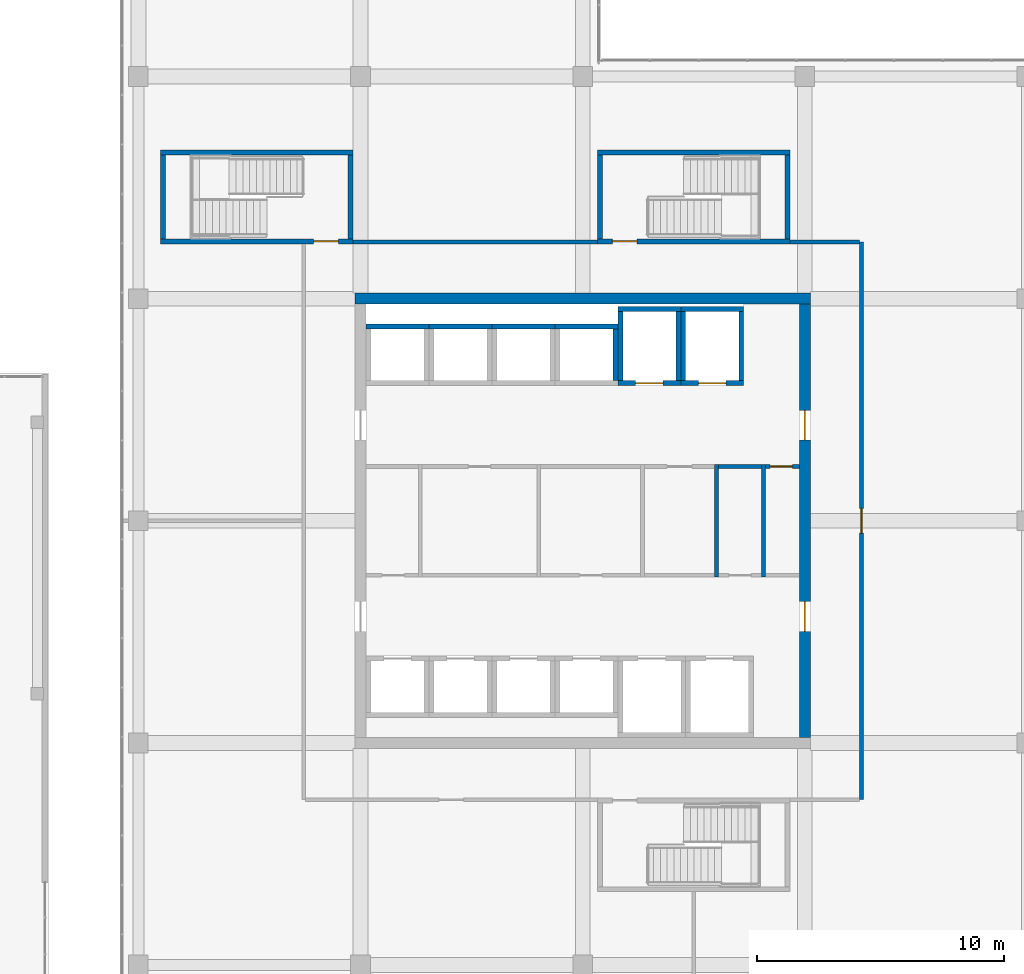
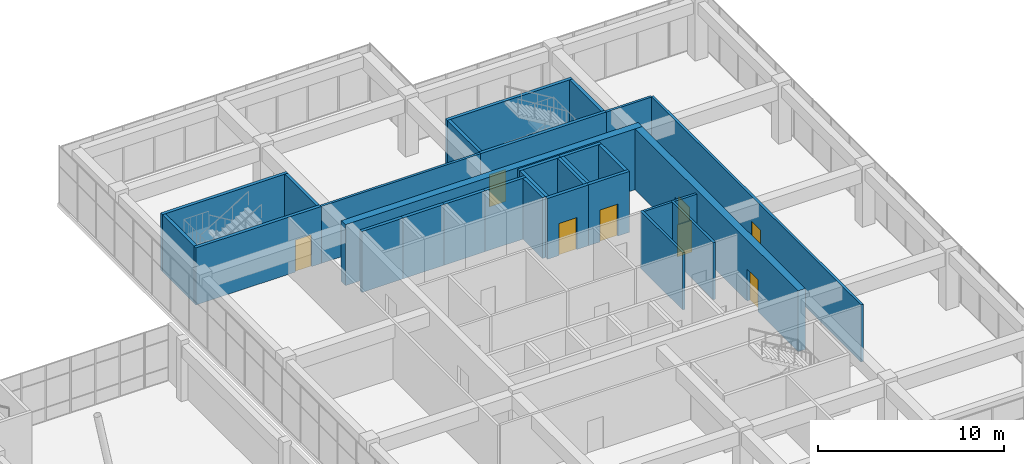
# One storey, part 58 of 65: 30 walls, 8 doors, 8 openings.
"""IFC4 building model written with IfcOpenShell, lengths in metres."""

from ifc_helpers import new_model, si_unit, direction, frame, frame_2d, origin, place, context, subcontext, project, spatial, rectangle, extrude, material, layer, layer_set, type_object, element, fill, save


model = new_model("IFC4")

# Units and contexts
model_context = context("Model", 3, precision=1e-05, world=origin(), true_north=direction((0.0, 1.0)))
body_context = subcontext(model_context, "Body", "Model", "MODEL_VIEW")
ifc_project = project(units=[si_unit("LENGTHUNIT", "METRE"), si_unit("AREAUNIT", "SQUARE_METRE"), si_unit("VOLUMEUNIT", "CUBIC_METRE"), si_unit("PLANEANGLEUNIT", "RADIAN"), si_unit("MASSUNIT", "GRAM", prefix="KILO")], contexts=[model_context])

# Site, building, storey
site_placement = place(None, origin())
site = spatial("IfcSite", under=ifc_project, at=site_placement, CompositionType="ELEMENT")
building_placement = place(site_placement, origin())
building = spatial("IfcBuilding", under=site, at=building_placement, Name="Tuart Plaza Theatre", CompositionType="ELEMENT")
storey_placement = place(building_placement, frame((0.0, 0.0, 9.5)))
storey = spatial("IfcBuildingStorey", under=building, at=storey_placement, Name="L02", CompositionType="ELEMENT", Elevation=9.5)

# Walls
ifc_material_1 = material(Name="Masonry block", Category="masonry")
ifc_layer_1 = layer(ifc_material_1, 0.14990234375)
ifc_layer_set_1 = layer_set([ifc_layer_1], Name="PARTITION BLK150 MASONRYB FRL -/120/120")
wall_type_1 = type_object("IfcWallType", Name="PARTITION BLK150 MASONRYB FRL -/120/120", PredefinedType="PARTITIONING", material=ifc_layer_set_1)
for number, where, z_axis, x_axis, name in (
    (1, (137.425048828125, 71.72509765625, 0.0), (0.0, 0.0, 1.0), (0.0, 1.0, 0.0), "P591"),
    (2, (139.324951171875, 71.72509765625, 0.0), (0.0, 0.0, 1.0), (0.0, 1.0, 0.0), "P594"),
):
    element("IfcWall", number, at=place(storey_placement, frame(where, z_axis=z_axis, x_axis=x_axis)), inside=storey, type_object=wall_type_1, Name=name, PredefinedType="PARTITIONING", context=body_context, shape_type="SweptSolid", body=[
        extrude(rectangle(XDim=4.5498046875, YDim=0.14990234375, at=frame_2d((2.27490234375, 0.0))), origin(), (0.0, 0.0, 1.0), 3.75),
    ])
wall_1_placement = place(storey_placement, frame((137.5, 76.199951171875, 0.0), z_axis=(0.0, 0.0, 1.0), x_axis=(1.0, 0.0, 0.0)))
element("IfcWall", 3, at=wall_1_placement, inside=storey, type_object=wall_type_1, Name="P596", PredefinedType="PARTITIONING", context=body_context, shape_type="SweptSolid", body=[
    extrude(rectangle(XDim=1.75, YDim=0.14990234375, at=frame_2d((0.875, 0.0))), origin(), (0.0, 0.0, 1.0), 3.75),
])

# Wall, opening, door
wall_2_placement = place(storey_placement, frame((139.39990234375, 76.199951171875, 0.0), z_axis=(0.0, 0.0, 1.0), x_axis=(1.0, 0.0, 0.0)))
wall_2 = element("IfcWall", 4, at=wall_2_placement, inside=storey, type_object=wall_type_1, Name="P598", PredefinedType="PARTITIONING", context=body_context, shape_type="SweptSolid", body=[
    extrude(rectangle(XDim=1.375, YDim=0.14990234375, at=frame_2d((0.6875, 0.0))), origin(), (0.0, 0.0, 1.0), 3.75),
])
opening_1_placement = place(wall_2_placement, frame((0.199951171875, 0.0, 0.0)))
opening_1 = element("IfcOpeningElement", 5, at=opening_1_placement, cuts=wall_2, Name="Opening L02-058", PredefinedType="OPENING", context=body_context, shape_type="SweptSolid", body=[
    extrude(rectangle(XDim=0.89990234375, YDim=2.10009765625, at=frame_2d((0.449951171875, 1.050048828125))), frame((0.0, 0.0849609375, 0.0), z_axis=(0.0, -1.0, 0.0), x_axis=(1.0, 0.0, 0.0)), (0.0, 0.0, 1.0), 0.169921875),
])
ifc_material_2 = material(Name="Steel Grade 300", Category="steel")
door_type_1 = type_object("IfcDoorType", Name="DOOR 900x2100 steel single swing FRL -/120/30", OperationType="SINGLE_SWING_LEFT", PredefinedType="DOOR", material=ifc_material_2)
door_1_placement = place(opening_1_placement, frame((0.89990234375, 0.0, 0.0), z_axis=(0.0, 0.0, 1.0), x_axis=(-1.0, 0.0, 0.0)))
door_1 = element("IfcDoor", 6, at=door_1_placement, inside=storey, type_object=door_type_1, Name="L02-058", OperationType="SINGLE_SWING_LEFT", OverallHeight=2.10009765625, OverallWidth=0.89990234375, PredefinedType="DOOR", context=body_context, shape_type="SweptSolid", body=[
    extrude(rectangle(XDim=0.89990234375, YDim=2.10009765625, at=frame_2d((0.449951171875, 1.050048828125))), frame((0.0, 0.02490234375, 0.0), z_axis=(0.0, -1.0, 0.0), x_axis=(1.0, 0.0, 0.0)), (0.0, 0.0, 1.0), 0.050048828125),
])
fill(opening_1, door_1)

# Walls
ifc_material_3 = material(Name="Masonry block", Category="masonry")
ifc_layer_2 = layer(ifc_material_3, 0.14990234375)
ifc_layer_set_2 = layer_set([ifc_layer_2], Name="PARTITION BLK150 MASONRYB FRL 120/-/-")
wall_type_2 = type_object("IfcWallType", Name="PARTITION BLK150 MASONRYB FRL 120/-/-", PredefinedType="PARTITIONING", material=ifc_layer_set_2)
wall_3_placement = place(storey_placement, frame((122.699951171875, 85.300048828125, 0.0), z_axis=(0.0, 0.0, 1.0), x_axis=(1.0, 0.0, 0.0)))
element("IfcWall", 7, at=wall_3_placement, inside=storey, type_object=wall_type_2, Name="P602", PredefinedType="PARTITIONING", context=body_context, shape_type="SweptSolid", body=[
    extrude(rectangle(XDim=9.900146484375, YDim=0.14990234375, at=frame_2d((4.9501953125, 0.0))), origin(), (0.0, 0.0, 1.0), 3.75),
])
wall_4_placement = place(storey_placement, frame((140.39990234375, 85.300048828125, 0.0), z_axis=(0.0, 0.0, 1.0), x_axis=(1.0, 0.0, 0.0)))
element("IfcWall", 8, at=wall_4_placement, inside=storey, type_object=wall_type_2, Name="P603", PredefinedType="PARTITIONING", context=body_context, shape_type="SweptSolid", body=[
    extrude(rectangle(XDim=2.8251953125, YDim=0.14990234375, at=frame_2d((1.41259765625, 0.0))), origin(), (0.0, 0.0, 1.0), 3.75),
])

# Wall, opening, door
wall_5_placement = place(storey_placement, frame((143.300048828125, 85.300048828125, 0.0), z_axis=(0.0, 0.0, 1.0), x_axis=(0.0, -1.0, 0.0)))
wall_5 = element("IfcWall", 9, at=wall_5_placement, inside=storey, type_object=wall_type_2, Name="P604", PredefinedType="PARTITIONING", context=body_context, shape_type="SweptSolid", body=[
    extrude(rectangle(XDim=22.60009765625, YDim=0.14990234375, at=frame_2d((11.300048828125, 0.0))), origin(), (0.0, 0.0, 1.0), 3.75),
])
opening_2_placement = place(wall_5_placement, frame((10.800048828125, 0.0, 0.0)))
opening_2 = element("IfcOpeningElement", 10, at=opening_2_placement, cuts=wall_5, Name="Opening L02-060", PredefinedType="OPENING", context=body_context, shape_type="SweptSolid", body=[
    extrude(rectangle(XDim=1.0, YDim=2.10009765625, at=frame_2d((0.5, 1.050048828125))), frame((0.0, 0.0849609375, 0.0), z_axis=(0.0, -1.0, 0.0), x_axis=(1.0, 0.0, 0.0)), (0.0, 0.0, 1.0), 0.169921875),
])
ifc_material_4 = material(Name="Timber", Category="wood")
door_type_2 = type_object("IfcDoorType", Name="DOOR 1000x2100 timber single swing FRL -/60/30", OperationType="SINGLE_SWING_LEFT", PredefinedType="DOOR", material=ifc_material_4)
door_2_placement = place(opening_2_placement, frame((1.0, 0.0, 0.0), z_axis=(0.0, 0.0, 1.0), x_axis=(-1.0, 0.0, 0.0)))
door_2 = element("IfcDoor", 11, at=door_2_placement, inside=storey, type_object=door_type_2, Name="L02-060", OperationType="SINGLE_SWING_RIGHT", OverallHeight=2.10009765625, OverallWidth=1.0, PredefinedType="DOOR", context=body_context, shape_type="SweptSolid", body=[
    extrude(rectangle(XDim=1.0, YDim=2.10009765625, at=frame_2d((0.5, 1.050048828125))), frame((0.0, 0.02490234375, 0.0), z_axis=(0.0, -1.0, 0.0), x_axis=(1.0, 0.0, 0.0)), (0.0, 0.0, 1.0), 0.050048828125),
])
fill(opening_2, door_2)

# Walls
ifc_material_5 = material(Name="Concrete N40 (40 MPa)", Category="concrete")
ifc_layer_3 = layer(ifc_material_5, 0.199951171875)
ifc_layer_set_3 = layer_set([ifc_layer_3], Name="SHEAR WALL RC200 FRL 120/120/120")
wall_type_3 = type_object("IfcWallType", Name="SHEAR WALL RC200 FRL 120/120/120", PredefinedType="SHEAR", material=ifc_layer_set_3)
wall_6_placement = place(storey_placement, frame((125.77490234375, 81.875, 0.0), z_axis=(0.0, 0.0, 1.0), x_axis=(-1.0, 0.0, 0.0)))
element("IfcWall", 12, at=wall_6_placement, inside=storey, type_object=wall_type_3, Name="W736", PredefinedType="SHEAR", context=body_context, shape_type="SweptSolid", body=[
    extrude(rectangle(XDim=2.5498046875, YDim=0.199951171875, at=frame_2d((1.27490234375, 0.0))), origin(), (0.0, 0.0, 1.0), 4.0),
])
for number, where, z_axis, x_axis, name in (
    (13, (128.324951171875, 81.875, 0.0), (0.0, 0.0, 1.0), (-1.0, 0.0, 0.0), "W808"),
    (14, (130.875, 81.875, 0.0), (0.0, 0.0, 1.0), (-1.0, 0.0, 0.0), "W880"),
):
    element("IfcWall", number, at=place(storey_placement, frame(where, z_axis=z_axis, x_axis=x_axis)), inside=storey, type_object=wall_type_3, Name=name, PredefinedType="SHEAR", context=body_context, shape_type="SweptSolid", body=[
        extrude(rectangle(XDim=2.550048828125, YDim=0.199951171875, at=frame_2d((1.27490234375, 0.0))), origin(), (0.0, 0.0, 1.0), 4.0),
    ])
wall_7_placement = place(storey_placement, frame((133.324951171875, 79.675048828125, 0.0), z_axis=(0.0, 0.0, 1.0), x_axis=(0.0, 1.0, 0.0)))
element("IfcWall", 15, at=wall_7_placement, inside=storey, type_object=wall_type_3, Name="W951", PredefinedType="SHEAR", context=body_context, shape_type="SweptSolid", body=[
    extrude(rectangle(XDim=2.099853515625, YDim=0.199951171875, at=frame_2d((1.0498046875, 0.0))), origin(), (0.0, 0.0, 1.0), 4.0),
])
wall_8_placement = place(storey_placement, frame((133.425048828125, 81.875, 0.0), z_axis=(0.0, 0.0, 1.0), x_axis=(-1.0, 0.0, 0.0)))
element("IfcWall", 16, at=wall_8_placement, inside=storey, type_object=wall_type_3, Name="W952", PredefinedType="SHEAR", context=body_context, shape_type="SweptSolid", body=[
    extrude(rectangle(XDim=2.550048828125, YDim=0.199951171875, at=frame_2d((1.27490234375, 0.0))), origin(), (0.0, 0.0, 1.0), 4.0),
])

# Wall, opening, door
wall_9_placement = place(storey_placement, frame((133.425048828125, 79.574951171875, 0.0), z_axis=(0.0, 0.0, 1.0), x_axis=(1.0, 0.0, 0.0)))
wall_9 = element("IfcWall", 17, at=wall_9_placement, inside=storey, type_object=wall_type_3, Name="W1174", PredefinedType="SHEAR", context=body_context, shape_type="SweptSolid", body=[
    extrude(rectangle(XDim=2.550048828125, YDim=0.199951171875, at=frame_2d((1.27490234375, 0.0))), origin(), (0.0, 0.0, 1.0), 4.0),
])
opening_3_placement = place(wall_9_placement, frame((0.72509765625, 0.0, 0.0)))
opening_3 = element("IfcOpeningElement", 18, at=opening_3_placement, cuts=wall_9, Name="Opening L02-044", PredefinedType="OPENING", context=body_context, shape_type="SweptSolid", body=[
    extrude(rectangle(XDim=1.10009765625, YDim=2.10009765625, at=frame_2d((0.550048828125, 1.050048828125))), frame((0.0, 0.10986328125, 0.0), z_axis=(0.0, -1.0, 0.0), x_axis=(1.0, 0.0, 0.0)), (0.0, 0.0, 1.0), 0.219970703125),
])
ifc_material_6 = material(Name="Steel Grade 300", Category="steel")
door_type_3 = type_object("IfcDoorType", Name="LANDING DOOR 1100x2100 steel sliding FRL -/120/30", OperationType="SLIDING_TO_LEFT", PredefinedType="DOOR", material=ifc_material_6)
door_3_placement = place(opening_3_placement, origin())
door_3 = element("IfcDoor", 19, at=door_3_placement, inside=storey, type_object=door_type_3, Name="L02-044", OperationType="SLIDING_TO_LEFT", OverallHeight=2.10009765625, OverallWidth=1.10009765625, PredefinedType="DOOR", context=body_context, shape_type="SweptSolid", body=[
    extrude(rectangle(XDim=1.10009765625, YDim=2.10009765625, at=frame_2d((0.550048828125, 1.050048828125))), frame((0.0, 0.02490234375, 0.0), z_axis=(0.0, -1.0, 0.0), x_axis=(1.0, 0.0, 0.0)), (0.0, 0.0, 1.0), 0.050048828125),
])
fill(opening_3, door_3)

# Walls
wall_10_placement = place(storey_placement, frame((135.875, 79.675048828125, 0.0), z_axis=(0.0, 0.0, 1.0), x_axis=(0.0, 1.0, 0.0)))
element("IfcWall", 20, at=wall_10_placement, inside=storey, type_object=wall_type_3, Name="W1175", PredefinedType="SHEAR", context=body_context, shape_type="SweptSolid", body=[
    extrude(rectangle(XDim=2.800048828125, YDim=0.199951171875, at=frame_2d((1.39990234375, 0.0))), origin(), (0.0, 0.0, 1.0), 4.0),
])
wall_11_placement = place(storey_placement, frame((135.97509765625, 82.574951171875, 0.0), z_axis=(0.0, 0.0, 1.0), x_axis=(-1.0, 0.0, 0.0)))
element("IfcWall", 21, at=wall_11_placement, inside=storey, type_object=wall_type_3, Name="W1176", PredefinedType="SHEAR", context=body_context, shape_type="SweptSolid", body=[
    extrude(rectangle(XDim=2.550048828125, YDim=0.199951171875, at=frame_2d((1.27490234375, 0.0))), origin(), (0.0, 0.0, 1.0), 4.0),
])
wall_12_placement = place(storey_placement, frame((133.52490234375, 82.47509765625, 0.0), z_axis=(0.0, 0.0, 1.0), x_axis=(0.0, -1.0, 0.0)))
element("IfcWall", 22, at=wall_12_placement, inside=storey, type_object=wall_type_3, Name="W1177", PredefinedType="SHEAR", context=body_context, shape_type="SweptSolid", body=[
    extrude(rectangle(XDim=2.800048828125, YDim=0.199951171875, at=frame_2d((1.39990234375, 0.0))), origin(), (0.0, 0.0, 1.0), 4.0),
])

# Wall, opening, door
wall_13_placement = place(storey_placement, frame((135.97509765625, 79.574951171875, 0.0), z_axis=(0.0, 0.0, 1.0), x_axis=(1.0, 0.0, 0.0)))
wall_13 = element("IfcWall", 23, at=wall_13_placement, inside=storey, type_object=wall_type_3, Name="W1250", PredefinedType="SHEAR", context=body_context, shape_type="SweptSolid", body=[
    extrude(rectangle(XDim=2.5498046875, YDim=0.199951171875, at=frame_2d((1.27490234375, 0.0))), origin(), (0.0, 0.0, 1.0), 4.0),
])
opening_4_placement = place(wall_13_placement, frame((0.72509765625, 0.0, 0.0)))
opening_4 = element("IfcOpeningElement", 24, at=opening_4_placement, cuts=wall_13, Name="Opening L02-045", PredefinedType="OPENING", context=body_context, shape_type="SweptSolid", body=[
    extrude(rectangle(XDim=1.10009765625, YDim=2.10009765625, at=frame_2d((0.550048828125, 1.050048828125))), frame((0.0, 0.10986328125, 0.0), z_axis=(0.0, -1.0, 0.0), x_axis=(1.0, 0.0, 0.0)), (0.0, 0.0, 1.0), 0.219970703125),
])
door_4_placement = place(opening_4_placement, origin())
door_4 = element("IfcDoor", 25, at=door_4_placement, inside=storey, type_object=door_type_3, Name="L02-045", OperationType="SLIDING_TO_LEFT", OverallHeight=2.10009765625, OverallWidth=1.10009765625, PredefinedType="DOOR", context=body_context, shape_type="SweptSolid", body=[
    extrude(rectangle(XDim=1.10009765625, YDim=2.10009765625, at=frame_2d((0.550048828125, 1.050048828125))), frame((0.0, 0.02490234375, 0.0), z_axis=(0.0, -1.0, 0.0), x_axis=(1.0, 0.0, 0.0)), (0.0, 0.0, 1.0), 0.050048828125),
])
fill(opening_4, door_4)

# Walls
wall_14_placement = place(storey_placement, frame((138.425048828125, 79.675048828125, 0.0), z_axis=(0.0, 0.0, 1.0), x_axis=(0.0, 1.0, 0.0)))
element("IfcWall", 26, at=wall_14_placement, inside=storey, type_object=wall_type_3, Name="W1251", PredefinedType="SHEAR", context=body_context, shape_type="SweptSolid", body=[
    extrude(rectangle(XDim=2.800048828125, YDim=0.199951171875, at=frame_2d((1.39990234375, 0.0))), origin(), (0.0, 0.0, 1.0), 4.0),
])
wall_15_placement = place(storey_placement, frame((138.52490234375, 82.574951171875, 0.0), z_axis=(0.0, 0.0, 1.0), x_axis=(-1.0, 0.0, 0.0)))
element("IfcWall", 27, at=wall_15_placement, inside=storey, type_object=wall_type_3, Name="W1252", PredefinedType="SHEAR", context=body_context, shape_type="SweptSolid", body=[
    extrude(rectangle(XDim=2.5498046875, YDim=0.199951171875, at=frame_2d((1.27490234375, 0.0))), origin(), (0.0, 0.0, 1.0), 4.0),
])
wall_16_placement = place(storey_placement, frame((136.074951171875, 82.47509765625, 0.0), z_axis=(0.0, 0.0, 1.0), x_axis=(0.0, -1.0, 0.0)))
element("IfcWall", 28, at=wall_16_placement, inside=storey, type_object=wall_type_3, Name="W1253", PredefinedType="SHEAR", context=body_context, shape_type="SweptSolid", body=[
    extrude(rectangle(XDim=2.800048828125, YDim=0.199951171875, at=frame_2d((1.39990234375, 0.0))), origin(), (0.0, 0.0, 1.0), 4.0),
])

# Wall, opening, door
wall_17_placement = place(storey_placement, frame((132.60009765625, 85.324951171875, 0.0), z_axis=(0.0, 0.0, 1.0), x_axis=(1.0, 0.0, 0.0)))
wall_17 = element("IfcWall", 29, at=wall_17_placement, inside=storey, type_object=wall_type_3, Name="P424", PredefinedType="SHEAR", context=body_context, shape_type="SweptSolid", body=[
    extrude(rectangle(XDim=7.7998046875, YDim=0.199951171875, at=frame_2d((3.89990234375, 0.0))), origin(), (0.0, 0.0, 1.0), 3.75),
])
opening_5_placement = place(wall_17_placement, frame((0.60009765625, 0.0, 0.0)))
opening_5 = element("IfcOpeningElement", 30, at=opening_5_placement, cuts=wall_17, Name="Opening L02-047", PredefinedType="OPENING", context=body_context, shape_type="SweptSolid", body=[
    extrude(rectangle(XDim=1.0, YDim=2.10009765625, at=frame_2d((0.5, 1.050048828125))), frame((0.0, 0.10986328125, 0.0), z_axis=(0.0, -1.0, 0.0), x_axis=(1.0, 0.0, 0.0)), (0.0, 0.0, 1.0), 0.219970703125),
])
ifc_material_7 = material(Name="Steel Grade 300", Category="steel")
door_type_4 = type_object("IfcDoorType", Name="DOOR 1000x2100 steel single swing FRL -/120/30", OperationType="SINGLE_SWING_LEFT", PredefinedType="DOOR", material=ifc_material_7)
door_5_placement = place(opening_5_placement, origin())
door_5 = element("IfcDoor", 31, at=door_5_placement, inside=storey, type_object=door_type_4, Name="L02-047", OperationType="SINGLE_SWING_RIGHT", OverallHeight=2.10009765625, OverallWidth=1.0, PredefinedType="DOOR", context=body_context, shape_type="SweptSolid", body=[
    extrude(rectangle(XDim=1.0, YDim=2.10009765625, at=frame_2d((0.5, 1.050048828125))), frame((0.0, 0.02490234375, 0.0), z_axis=(0.0, -1.0, 0.0), x_axis=(1.0, 0.0, 0.0)), (0.0, 0.0, 1.0), 0.050048828125),
])
fill(opening_5, door_5)

# Walls
wall_18_placement = place(storey_placement, frame((140.300048828125, 85.425048828125, 0.0), z_axis=(0.0, 0.0, 1.0), x_axis=(0.0, 1.0, 0.0)))
element("IfcWall", 32, at=wall_18_placement, inside=storey, type_object=wall_type_3, Name="P425", PredefinedType="SHEAR", context=body_context, shape_type="SweptSolid", body=[
    extrude(rectangle(XDim=3.39990234375, YDim=0.199951171875, at=frame_2d((1.699951171875, 0.0))), origin(), (0.0, 0.0, 1.0), 3.75),
])
wall_19_placement = place(storey_placement, frame((140.39990234375, 88.925048828125, 0.0), z_axis=(0.0, 0.0, 1.0), x_axis=(-1.0, 0.0, 0.0)))
element("IfcWall", 33, at=wall_19_placement, inside=storey, type_object=wall_type_3, Name="P426", PredefinedType="SHEAR", context=body_context, shape_type="SweptSolid", body=[
    extrude(rectangle(XDim=7.7998046875, YDim=0.199951171875, at=frame_2d((3.89990234375, 0.0))), origin(), (0.0, 0.0, 1.0), 3.75),
])
wall_20_placement = place(storey_placement, frame((132.699951171875, 88.824951171875, 0.0), z_axis=(0.0, 0.0, 1.0), x_axis=(0.0, -1.0, 0.0)))
element("IfcWall", 34, at=wall_20_placement, inside=storey, type_object=wall_type_3, Name="P427", PredefinedType="SHEAR", context=body_context, shape_type="SweptSolid", body=[
    extrude(rectangle(XDim=3.39990234375, YDim=0.199951171875, at=frame_2d((1.699951171875, 0.0))), origin(), (0.0, 0.0, 1.0), 3.75),
])

# Wall, opening, door
wall_21_placement = place(storey_placement, frame((114.89990234375, 85.324951171875, 0.0), z_axis=(0.0, 0.0, 1.0), x_axis=(1.0, 0.0, 0.0)))
wall_21 = element("IfcWall", 35, at=wall_21_placement, inside=storey, type_object=wall_type_3, Name="P452", PredefinedType="SHEAR", context=body_context, shape_type="SweptSolid", body=[
    extrude(rectangle(XDim=7.800048828125, YDim=0.199951171875, at=frame_2d((3.89990234375, 0.0))), origin(), (0.0, 0.0, 1.0), 3.75),
])
opening_6_placement = place(wall_21_placement, frame((6.199951171875, 0.0, 0.0)))
opening_6 = element("IfcOpeningElement", 36, at=opening_6_placement, cuts=wall_21, Name="Opening L02-048", PredefinedType="OPENING", context=body_context, shape_type="SweptSolid", body=[
    extrude(rectangle(XDim=1.0, YDim=2.10009765625, at=frame_2d((0.5, 1.050048828125))), frame((0.0, 0.10986328125, 0.0), z_axis=(0.0, -1.0, 0.0), x_axis=(1.0, 0.0, 0.0)), (0.0, 0.0, 1.0), 0.219970703125),
])
door_6_placement = place(opening_6_placement, origin())
door_6 = element("IfcDoor", 37, at=door_6_placement, inside=storey, type_object=door_type_4, Name="L02-048", OperationType="SINGLE_SWING_LEFT", OverallHeight=2.10009765625, OverallWidth=1.0, PredefinedType="DOOR", context=body_context, shape_type="SweptSolid", body=[
    extrude(rectangle(XDim=1.0, YDim=2.10009765625, at=frame_2d((0.5, 1.050048828125))), frame((0.0, 0.02490234375, 0.0), z_axis=(0.0, -1.0, 0.0), x_axis=(1.0, 0.0, 0.0)), (0.0, 0.0, 1.0), 0.050048828125),
])
fill(opening_6, door_6)

# Walls
wall_22_placement = place(storey_placement, frame((122.60009765625, 85.425048828125, 0.0), z_axis=(0.0, 0.0, 1.0), x_axis=(0.0, 1.0, 0.0)))
element("IfcWall", 38, at=wall_22_placement, inside=storey, type_object=wall_type_3, Name="P453", PredefinedType="SHEAR", context=body_context, shape_type="SweptSolid", body=[
    extrude(rectangle(XDim=3.39990234375, YDim=0.199951171875, at=frame_2d((1.699951171875, 0.0))), origin(), (0.0, 0.0, 1.0), 3.75),
])
wall_23_placement = place(storey_placement, frame((122.699951171875, 88.925048828125, 0.0), z_axis=(0.0, 0.0, 1.0), x_axis=(-1.0, 0.0, 0.0)))
element("IfcWall", 39, at=wall_23_placement, inside=storey, type_object=wall_type_3, Name="P454", PredefinedType="SHEAR", context=body_context, shape_type="SweptSolid", body=[
    extrude(rectangle(XDim=7.800048828125, YDim=0.199951171875, at=frame_2d((3.89990234375, 0.0))), origin(), (0.0, 0.0, 1.0), 3.75),
])
wall_24_placement = place(storey_placement, frame((115.0, 88.824951171875, 0.0), z_axis=(0.0, 0.0, 1.0), x_axis=(0.0, -1.0, 0.0)))
element("IfcWall", 40, at=wall_24_placement, inside=storey, type_object=wall_type_3, Name="P455", PredefinedType="SHEAR", context=body_context, shape_type="SweptSolid", body=[
    extrude(rectangle(XDim=3.39990234375, YDim=0.199951171875, at=frame_2d((1.699951171875, 0.0))), origin(), (0.0, 0.0, 1.0), 3.75),
])

# Wall, openings, doors
ifc_material_8 = material(Name="Concrete N50 (50 MPa)", Category="concrete")
ifc_layer_4 = layer(ifc_material_8, 0.449951171875)
ifc_layer_set_4 = layer_set([ifc_layer_4], Name="SHEAR WALL RC450 N50 FRL 120/120/120")
wall_type_4 = type_object("IfcWallType", Name="SHEAR WALL RC450 N50 FRL 120/120/120", PredefinedType="SHEAR", material=ifc_layer_set_4)
wall_25_placement = place(storey_placement, frame((141.0, 65.22509765625, 0.0), z_axis=(0.0, 0.0, 1.0), x_axis=(0.0, 1.0, 0.0)))
wall_25 = element("IfcWall", 41, at=wall_25_placement, inside=storey, type_object=wall_type_4, Name="W364", PredefinedType="SHEAR", context=body_context, shape_type="SweptSolid", body=[
    extrude(rectangle(XDim=17.5498046875, YDim=0.449951171875, at=frame_2d((8.77490234375, 0.0))), origin(), (0.0, 0.0, 1.0), 4.0),
])
opening_7_placement = place(wall_25_placement, frame((4.300048828125, 0.0, 0.0)))
opening_7 = element("IfcOpeningElement", 42, at=opening_7_placement, cuts=wall_25, Name="Opening L02-050", PredefinedType="OPENING", context=body_context, shape_type="SweptSolid", body=[
    extrude(rectangle(XDim=1.199951171875, YDim=2.10009765625, at=frame_2d((0.60009765625, 1.050048828125))), frame((0.0, 0.23486328125, 0.0), z_axis=(0.0, -1.0, 0.0), x_axis=(1.0, 0.0, 0.0)), (0.0, 0.0, 1.0), 0.469970703125),
])
opening_8_placement = place(wall_25_placement, frame((12.050048828125, 0.0, 0.0)))
opening_8 = element("IfcOpeningElement", 43, at=opening_8_placement, cuts=wall_25, Name="Opening L02-052", PredefinedType="OPENING", context=body_context, shape_type="SweptSolid", body=[
    extrude(rectangle(XDim=1.199951171875, YDim=2.10009765625, at=frame_2d((0.60009765625, 1.050048828125))), frame((0.0, 0.23486328125, 0.0), z_axis=(0.0, -1.0, 0.0), x_axis=(1.0, 0.0, 0.0)), (0.0, 0.0, 1.0), 0.469970703125),
])
ifc_material_9 = material(Name="Steel Grade 300", Category="steel")
door_type_5 = type_object("IfcDoorType", Name="DOOR 1200x2100 steel single swing FRL -/120/30", OperationType="SINGLE_SWING_LEFT", PredefinedType="DOOR", material=ifc_material_9)
door_7_placement = place(opening_7_placement, frame((1.199951171875, 0.0, 0.0), z_axis=(0.0, 0.0, 1.0), x_axis=(-1.0, 0.0, 0.0)))
door_7 = element("IfcDoor", 44, at=door_7_placement, inside=storey, type_object=door_type_5, Name="L02-050", OperationType="SINGLE_SWING_LEFT", OverallHeight=2.10009765625, OverallWidth=1.199951171875, PredefinedType="DOOR", context=body_context, shape_type="SweptSolid", body=[
    extrude(rectangle(XDim=1.199951171875, YDim=2.10009765625, at=frame_2d((0.60009765625, 1.050048828125))), frame((0.0, 0.02490234375, 0.0), z_axis=(0.0, -1.0, 0.0), x_axis=(1.0, 0.0, 0.0)), (0.0, 0.0, 1.0), 0.050048828125),
])
fill(opening_7, door_7)
door_8_placement = place(opening_8_placement, frame((1.199951171875, 0.0, 0.0), z_axis=(0.0, 0.0, 1.0), x_axis=(-1.0, 0.0, 0.0)))
door_8 = element("IfcDoor", 45, at=door_8_placement, inside=storey, type_object=door_type_5, Name="L02-052", OperationType="SINGLE_SWING_RIGHT", OverallHeight=2.10009765625, OverallWidth=1.199951171875, PredefinedType="DOOR", context=body_context, shape_type="SweptSolid", body=[
    extrude(rectangle(XDim=1.199951171875, YDim=2.10009765625, at=frame_2d((0.60009765625, 1.050048828125))), frame((0.0, 0.02490234375, 0.0), z_axis=(0.0, -1.0, 0.0), x_axis=(1.0, 0.0, 0.0)), (0.0, 0.0, 1.0), 0.050048828125),
])
fill(opening_8, door_8)

# Wall
wall_26_placement = place(storey_placement, frame((141.22509765625, 83.0, 0.0), z_axis=(0.0, 0.0, 1.0), x_axis=(-1.0, 0.0, 0.0)))
element("IfcWall", 46, at=wall_26_placement, inside=storey, type_object=wall_type_4, Name="W365", PredefinedType="SHEAR", context=body_context, shape_type="SweptSolid", body=[
    extrude(rectangle(XDim=18.4501953125, YDim=0.449951171875, at=frame_2d((9.22509765625, 0.0))), origin(), (0.0, 0.0, 1.0), 4.0),
])

save(model, "model.ifc")
